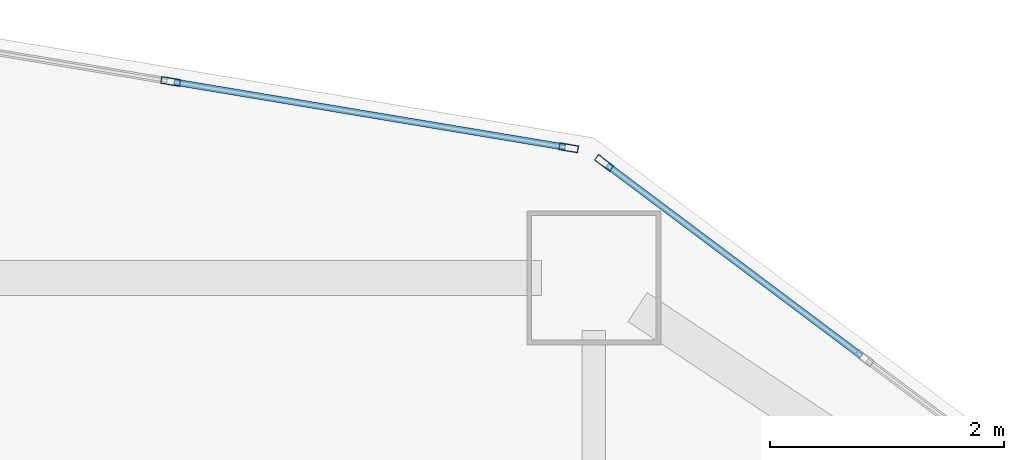
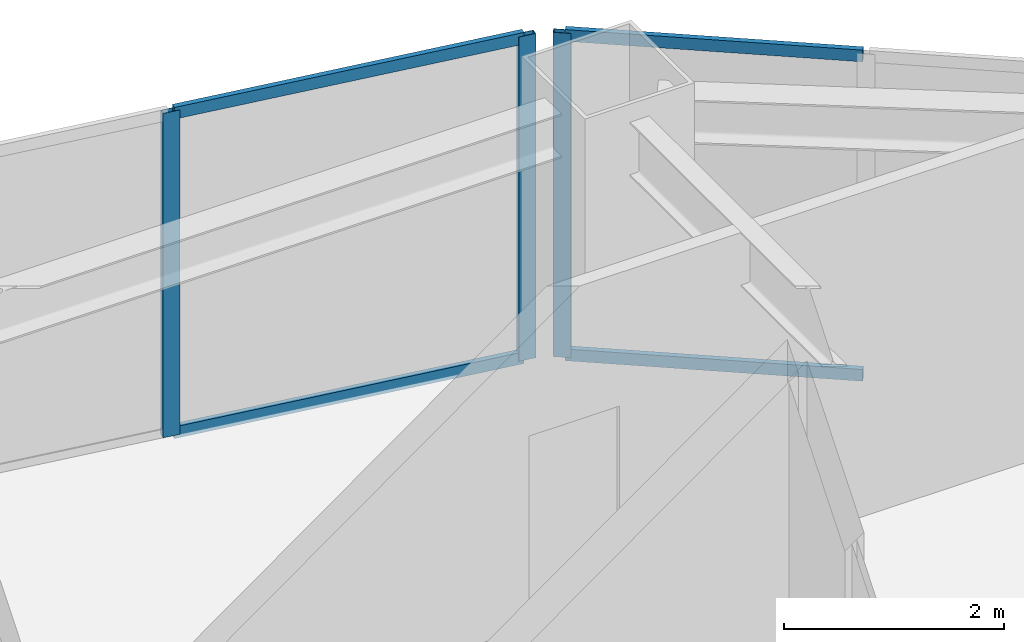
# One storey, part 4 of 17: 7 members, 2 elements without a shape of their own.
"""IFC4 building model written with IfcOpenShell, lengths in metres."""

from ifc_helpers import new_model, si_unit, direction, frame, origin, origin_2d, place, context, subcontext, project, spatial, hollow_rectangle, extrude, material, layer, layer_set, material_profile, profile_set, type_object, element, aggregate, save


model = new_model("IFC4")

# Units and contexts
model_context = context("Model", 3, precision=1e-05, world=origin(), true_north=direction((0.0, 1.0)))
body_context = subcontext(model_context, "Body", "Model", "MODEL_VIEW")
ifc_project = project(units=[si_unit("LENGTHUNIT", "METRE"), si_unit("AREAUNIT", "SQUARE_METRE"), si_unit("VOLUMEUNIT", "CUBIC_METRE"), si_unit("PLANEANGLEUNIT", "RADIAN"), si_unit("MASSUNIT", "GRAM", prefix="KILO")], contexts=[model_context])

# Site, building, storey
site_placement = place(None, origin())
site = spatial("IfcSite", under=ifc_project, at=site_placement, CompositionType="ELEMENT")
building_placement = place(site_placement, origin())
building = spatial("IfcBuilding", under=site, at=building_placement, Name="Haolan Belvedere Tower", CompositionType="ELEMENT")
storey_placement = place(building_placement, frame((0.0, 0.0, 81.800048828125)))
storey = spatial("IfcBuildingStorey", under=building, at=storey_placement, Name="L20", CompositionType="ELEMENT", Elevation=81.800048828125)

# Curtain wall, member
ifc_material_1 = material(Name="Anodised champagne-silver aluminium 6063-T6 and Low-E glass", Category="aluminium")
ifc_layer = layer(ifc_material_1, 0.1650390625, Name="Anodised champagne-silver aluminium 6063-T6 and Low-E glass")
ifc_layer_set = layer_set([ifc_layer], Name="Anodised champagne-silver aluminium 6063-T6 and Low-E glass")
curtain_wall_type = type_object("IfcCurtainWallType", Name="CW-SYS-02", PredefinedType="NOTDEFINED", material=ifc_layer_set)
curtain_wall_1_placement = place(storey_placement, origin())
curtain_wall_1 = element("IfcCurtainWall", 1, at=curtain_wall_1_placement, inside=storey, type_object=curtain_wall_type, Name="L20 CW-SYS-02 ribbon curtain wall 41.1", PredefinedType="NOTDEFINED")
ifc_material_2 = material(Name="Anodised aluminium 6063-T6", Category="aluminium")
ifc_material_profile_1 = material_profile(ifc_material_2, hollow_rectangle(XDim=0.06005859375, YDim=0.1650390625, WallThickness=0.00390625, at=origin_2d()), Name="Anodised aluminium 6063-T6")
ifc_profile_set_1 = profile_set([ifc_material_profile_1], Name="Anodised aluminium 6063-T6")
member_type_1 = type_object("IfcMemberType", Name="CW-SYS-02-MUL", PredefinedType="MULLION", material=ifc_profile_set_1)
member_1_placement = place(storey_placement, frame((45.6875, 51.384521484375, 0.0), z_axis=(0.0, 0.0, 1.0), x_axis=(-0.599994316874, -0.800004262313, 0.0)))
member_1 = element("IfcMember", 2, at=member_1_placement, type_object=member_type_1, Name="CW-02 mullion 3", PredefinedType="MULLION", context=body_context, shape_type="SweptSolid", body=[
    extrude(hollow_rectangle(XDim=0.06005859375, YDim=0.1650390625, WallThickness=0.00390625, at=origin_2d()), origin(), (0.0, 0.0, 1.0), 3.599853515625),
])

# Curtain wall, members
curtain_wall_2_placement = place(storey_placement, origin())
curtain_wall_2 = element("IfcCurtainWall", 3, at=curtain_wall_2_placement, inside=storey, type_object=curtain_wall_type, Name="L20 CW-SYS-02 ribbon curtain wall 42.1", PredefinedType="NOTDEFINED")
member_2_placement = place(storey_placement, frame((45.3837890625, 51.514404296875, 0.0), z_axis=(0.0, 0.0, 1.0), x_axis=(-0.16440364043, -0.9863931483, 0.0)))
member_2 = element("IfcMember", 4, at=member_2_placement, type_object=member_type_1, Name="CW-02 mullion 1", PredefinedType="MULLION", context=body_context, shape_type="SweptSolid", body=[
    extrude(hollow_rectangle(XDim=0.06005859375, YDim=0.1650390625, WallThickness=0.00390625, at=origin_2d()), origin(), (0.0, 0.0, 1.0), 3.599853515625),
])
member_3_placement = place(storey_placement, frame((41.9755859375, 52.082275390625, 0.0), z_axis=(0.0, 0.0, 1.0), x_axis=(-0.16440364043, -0.9863931483, 0.0)))
member_3 = element("IfcMember", 5, at=member_3_placement, type_object=member_type_1, Name="CW-02 mullion 2", PredefinedType="MULLION", context=body_context, shape_type="SweptSolid", body=[
    extrude(hollow_rectangle(XDim=0.06005859375, YDim=0.1650390625, WallThickness=0.00390625, at=origin_2d()), origin(), (0.0, 0.0, 1.0), 3.599853515625),
])

# Member
ifc_material_profile_2 = material_profile(ifc_material_2, hollow_rectangle(XDim=0.054931640625, YDim=0.1298828125, WallThickness=0.00390625, at=origin_2d()), Name="Anodised aluminium 6063-T6")
ifc_profile_set_2 = profile_set([ifc_material_profile_2], Name="Anodised aluminium 6063-T6")
member_type_2 = type_object("IfcMemberType", Name="CW-SYS-02-TRN", PredefinedType="USERDEFINED", material=ifc_profile_set_2)
member_4_placement = place(storey_placement, frame((47.8916015625, 49.731201171875, 0.02734375), z_axis=(-0.799978499504, 0.600028666258, 0.0), x_axis=(-0.600028666258, -0.799978499504, 0.0)))
member_4 = element("IfcMember", 6, at=member_4_placement, type_object=member_type_2, Name="CW-02 transom 2.1", ObjectType="TRANSOM", PredefinedType="USERDEFINED", context=body_context, shape_type="SweptSolid", body=[
    extrude(hollow_rectangle(XDim=0.054931640625, YDim=0.1298828125, WallThickness=0.00390625, at=origin_2d()), origin(), (0.0, 0.0, 1.0), 2.725341796875),
])

member_5_placement = place(storey_placement, frame((47.8916015625, 49.731201171875, 3.572509765625), z_axis=(-0.799978499504, 0.600028666258, 0.0), x_axis=(-0.600028666258, -0.799978499504, 0.0)))
member_5 = element("IfcMember", 7, at=member_5_placement, type_object=member_type_2, Name="CW-02 transom 2.2", ObjectType="TRANSOM", PredefinedType="USERDEFINED", context=body_context, shape_type="SweptSolid", body=[
    extrude(hollow_rectangle(XDim=0.054931640625, YDim=0.1298828125, WallThickness=0.00390625, at=origin_2d()), origin(), (0.0, 0.0, 1.0), 2.725341796875),
])

aggregate(curtain_wall_1, [member_1, member_4, member_5])

member_6_placement = place(storey_placement, frame((45.35400390625, 51.519287109375, 0.02734375), z_axis=(-0.986393923832, 0.164398987305, 0.0), x_axis=(-0.164398987305, -0.986393923832, 0.0)))
member_6 = element("IfcMember", 8, at=member_6_placement, type_object=member_type_2, Name="CW-02 transom 1.1", ObjectType="TRANSOM", PredefinedType="USERDEFINED", context=body_context, shape_type="SweptSolid", body=[
    extrude(hollow_rectangle(XDim=0.054931640625, YDim=0.1298828125, WallThickness=0.00390625, at=origin_2d()), origin(), (0.0, 0.0, 1.0), 3.394775390625),
])

member_7_placement = place(storey_placement, frame((45.35400390625, 51.519287109375, 3.572509765625), z_axis=(-0.986393923832, 0.164398987305, 0.0), x_axis=(-0.164398987305, -0.986393923832, 0.0)))
member_7 = element("IfcMember", 9, at=member_7_placement, type_object=member_type_2, Name="CW-02 transom 1.2", ObjectType="TRANSOM", PredefinedType="USERDEFINED", context=body_context, shape_type="SweptSolid", body=[
    extrude(hollow_rectangle(XDim=0.054931640625, YDim=0.1298828125, WallThickness=0.00390625, at=origin_2d()), origin(), (0.0, 0.0, 1.0), 3.394775390625),
])

aggregate(curtain_wall_2, [member_2, member_3, member_6, member_7])

save(model, "model.ifc")
